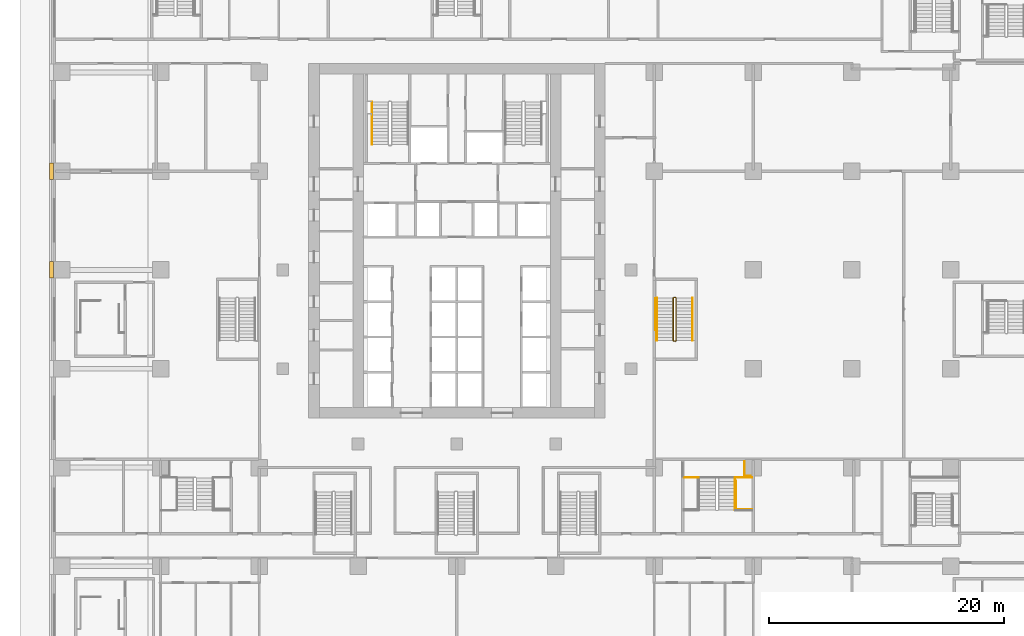
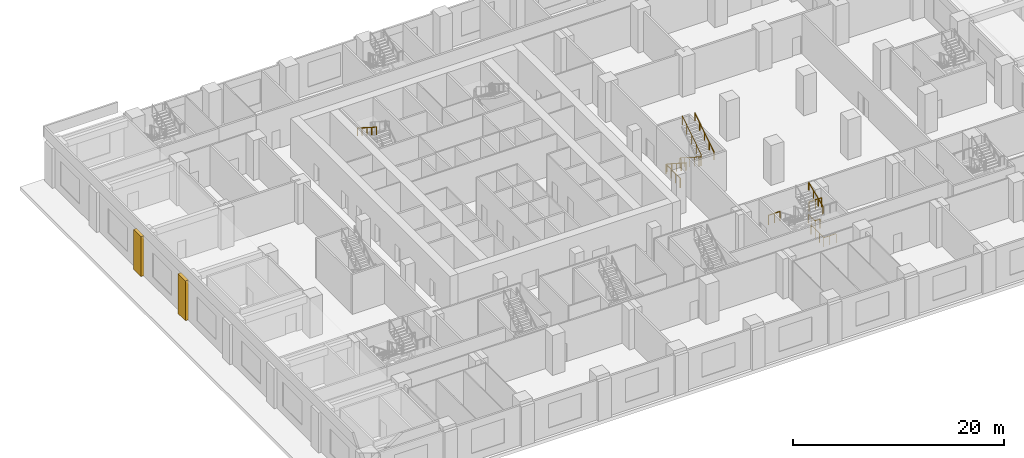
# One storey, part 23 of 29: 10 railings, 2 coverings.
"""IFC4 building model written with IfcOpenShell, lengths in metres."""

from ifc_helpers import new_model, si_unit, direction, frame, origin, origin_2d, place, context, subcontext, project, spatial, polyline, rectangle, outline, extrude, material, type_object, element, save


model = new_model("IFC4")

# Units and contexts
model_context = context("Model", 3, precision=1e-05, world=origin(), true_north=direction((0.0, 1.0)))
body_context = subcontext(model_context, "Body", "Model", "MODEL_VIEW")
ifc_project = project(units=[si_unit("LENGTHUNIT", "METRE"), si_unit("AREAUNIT", "SQUARE_METRE"), si_unit("VOLUMEUNIT", "CUBIC_METRE"), si_unit("PLANEANGLEUNIT", "RADIAN"), si_unit("MASSUNIT", "GRAM", prefix="KILO")], contexts=[model_context])

# Site, building, storey
site_placement = place(None, origin())
site = spatial("IfcSite", under=ifc_project, at=site_placement, CompositionType="ELEMENT")
building_placement = place(site_placement, origin())
building = spatial("IfcBuilding", under=site, at=building_placement, Name="Vermilion Ogive Tower", CompositionType="ELEMENT")
storey_placement = place(building_placement, frame((0.0, 0.0, 7.5)))
storey = spatial("IfcBuildingStorey", under=building, at=storey_placement, Name="L01", CompositionType="ELEMENT", Elevation=7.5)

# Railings
ifc_material_1 = material(Name="Steel S355 painted", Category="steel")
railing_type_1 = type_object("IfcRailingType", Name="Stair guard 1100", PredefinedType="GUARDRAIL", material=ifc_material_1)
railing_1_placement = place(storey_placement, frame((18.60009765625, 1.85009765625, 0.0)))
element("IfcRailing", 1, at=railing_1_placement, inside=storey, type_object=railing_type_1, Name="L01 ST8 stair guard 4", PredefinedType="GUARDRAIL", context=body_context, shape_type="SweptSolid", body=[
    extrude(rectangle(XDim=0.048095703125, YDim=0.048095703125, at=origin_2d()), frame((0.0, 0.0, 1.076171875), z_axis=(-1.0, 0.0, 0.0), x_axis=(0.0, -1.0, 0.0)), (0.0, 0.0, 1.0), 0.150146484375),
    extrude(rectangle(XDim=0.048095703125, YDim=0.048095703125, at=origin_2d()), frame((-0.150146484375, 0.0, 1.076171875), z_axis=(-0.260684529273, -0.260684529273, 0.929562882432), x_axis=(0.707106781187, -0.707106781187, 0.0)), (0.0, 0.0, 1.0), 0.19189453125),
    extrude(rectangle(XDim=0.048095703125, YDim=0.048095703125, at=origin_2d()), frame((-0.2001953125, -0.050048828125, 1.25439453125), z_axis=(0.0, -0.840414717549, 0.541943818607), x_axis=(1.0, 0.0, 0.0)), (0.0, 0.0, 1.0), 4.28369140625),
    extrude(rectangle(XDim=0.048095703125, YDim=0.048095703125, at=origin_2d()), frame((-0.2001953125, -3.650146484375, 3.576171875), z_axis=(0.707106781187, -0.707106781187, 0.0), x_axis=(0.707106781187, 0.707106781187, 0.0)), (0.0, 0.0, 1.0), 0.07080078125),
    extrude(rectangle(XDim=0.048095703125, YDim=0.048095703125, at=origin_2d()), frame((-0.150146484375, -3.7001953125, 3.576171875), z_axis=(1.0, 0.0, 0.0), x_axis=(0.0, 1.0, 0.0)), (0.0, 0.0, 1.0), 0.150146484375),
    extrude(rectangle(XDim=0.048095703125, YDim=0.048095703125, at=origin_2d()), frame((0.0, -3.7001953125, 3.576171875), z_axis=(0.25949872427, 0.26077077684, 0.929870428634), x_axis=(-0.708833529934, 0.705375805398, 0.0)), (0.0, 0.0, 1.0), 0.19189453125),
    extrude(rectangle(XDim=0.048095703125, YDim=0.048095703125, at=origin_2d()), frame((0.0498046875, -3.650146484375, 3.75439453125), z_axis=(0.0, 0.840414717549, 0.541943818607), x_axis=(-1.0, 0.0, 0.0)), (0.0, 0.0, 1.0), 4.28369140625),
    extrude(rectangle(XDim=0.0419921875, YDim=0.0419921875, at=origin_2d()), origin(), (0.0, 0.0, 1.0), 1.052001953125),
    extrude(rectangle(XDim=0.0419921875, YDim=0.0419921875, at=origin_2d()), frame((-0.150146484375, 0.0, 0.0)), (0.0, 0.0, 1.0), 1.052001953125),
    extrude(rectangle(XDim=0.0419921875, YDim=0.0419921875, at=origin_2d()), frame((-0.2001953125, -0.050048828125, 0.178466796875)), (0.0, 0.0, 1.0), 1.052001953125),
    extrude(rectangle(XDim=0.0419921875, YDim=0.0419921875, at=origin_2d()), frame((-0.2001953125, -0.9501953125, 0.7587890625)), (0.0, 0.0, 1.0), 1.052001953125),
    extrude(rectangle(XDim=0.0419921875, YDim=0.0419921875, at=origin_2d()), frame((-0.2001953125, -1.85009765625, 1.33935546875)), (0.0, 0.0, 1.0), 1.052001953125),
    extrude(rectangle(XDim=0.0419921875, YDim=0.0419921875, at=origin_2d()), frame((-0.2001953125, -2.75, 1.919677734375)), (0.0, 0.0, 1.0), 1.052001953125),
    extrude(rectangle(XDim=0.0419921875, YDim=0.0419921875, at=origin_2d()), frame((-0.2001953125, -3.650146484375, 2.5)), (0.0, 0.0, 1.0), 1.052001953125),
    extrude(rectangle(XDim=0.0419921875, YDim=0.0419921875, at=origin_2d()), frame((-0.150146484375, -3.7001953125, 2.5)), (0.0, 0.0, 1.0), 1.052001953125),
    extrude(rectangle(XDim=0.0419921875, YDim=0.0419921875, at=origin_2d()), frame((0.0, -3.7001953125, 2.5)), (0.0, 0.0, 1.0), 1.052001953125),
    extrude(rectangle(XDim=0.0419921875, YDim=0.0419921875, at=origin_2d()), frame((0.0498046875, -3.650146484375, 2.678466796875)), (0.0, 0.0, 1.0), 1.052001953125),
    extrude(rectangle(XDim=0.0419921875, YDim=0.0419921875, at=origin_2d()), frame((0.0498046875, -2.75, 3.2587890625)), (0.0, 0.0, 1.0), 1.052001953125),
    extrude(rectangle(XDim=0.0419921875, YDim=0.0419921875, at=origin_2d()), frame((0.0498046875, -1.85009765625, 3.83935546875)), (0.0, 0.0, 1.0), 1.052001953125),
    extrude(rectangle(XDim=0.0419921875, YDim=0.0419921875, at=origin_2d()), frame((0.0498046875, -0.9501953125, 4.419677734375)), (0.0, 0.0, 1.0), 1.052001953125),
    extrude(rectangle(XDim=0.0419921875, YDim=0.0419921875, at=origin_2d()), frame((0.0498046875, -0.050048828125, 5.0)), (0.0, 0.0, 1.0), 1.052001953125),
])
railing_2_placement = place(storey_placement, frame((19.300048828125, -13.449951171875, 2.5)))
element("IfcRailing", 2, at=railing_2_placement, inside=storey, type_object=railing_type_1, Name="L01 landing guard", PredefinedType="GUARDRAIL", context=body_context, shape_type="SweptSolid", body=[
    extrude(rectangle(XDim=0.048095703125, YDim=0.048095703125, at=origin_2d()), frame((0.0, 0.0, 1.076171875), z_axis=(1.0, 0.0, 0.0), x_axis=(0.0, 1.0, 0.0)), (0.0, 0.0, 1.0), 1.25),
    extrude(rectangle(XDim=0.0419921875, YDim=0.0419921875, at=origin_2d()), origin(), (0.0, 0.0, 1.0), 1.052001953125),
    extrude(rectangle(XDim=0.0419921875, YDim=0.0419921875, at=origin_2d()), frame((0.625, 0.0, 0.0)), (0.0, 0.0, 1.0), 1.052001953125),
    extrude(rectangle(XDim=0.0419921875, YDim=0.0419921875, at=origin_2d()), frame((1.25, 0.0, 0.0)), (0.0, 0.0, 1.0), 1.052001953125),
])
railing_3_placement = place(storey_placement, frame((23.699951171875, -13.449951171875, 2.5)))
element("IfcRailing", 3, at=railing_3_placement, inside=storey, type_object=railing_type_1, Name="L01 landing guard", PredefinedType="GUARDRAIL", context=body_context, shape_type="SweptSolid", body=[
    extrude(rectangle(XDim=0.048095703125, YDim=0.048095703125, at=origin_2d()), frame((0.0, 0.0, 1.076171875), z_axis=(1.0, 0.0, 0.0), x_axis=(0.0, 1.0, 0.0)), (0.0, 0.0, 1.0), 1.39990234375),
    extrude(rectangle(XDim=0.0419921875, YDim=0.0419921875, at=origin_2d()), origin(), (0.0, 0.0, 1.0), 1.052001953125),
    extrude(rectangle(XDim=0.0419921875, YDim=0.0419921875, at=origin_2d()), frame((0.699951171875, 0.0, 0.0)), (0.0, 0.0, 1.0), 1.052001953125),
    extrude(rectangle(XDim=0.0419921875, YDim=0.0419921875, at=origin_2d()), frame((1.39990234375, 0.0, 0.0)), (0.0, 0.0, 1.0), 1.052001953125),
])
railing_4_placement = place(storey_placement, frame((16.885498046875, -0.89990234375, 0.0)))
element("IfcRailing", 4, at=railing_4_placement, inside=storey, type_object=railing_type_1, Name="L01 stair opening guard", PredefinedType="GUARDRAIL", context=body_context, shape_type="SweptSolid", body=[
    extrude(rectangle(XDim=0.048095703125, YDim=0.048095703125, at=origin_2d()), frame((0.0, 0.0, 1.076171875), z_axis=(1.0, 0.0, 0.0), x_axis=(0.0, 1.0, 0.0)), (0.0, 0.0, 1.0), 0.00439453125),
    extrude(rectangle(XDim=0.048095703125, YDim=0.048095703125, at=origin_2d()), frame((0.00439453125, 0.0, 1.076171875), z_axis=(0.0, 1.0, 0.0), x_axis=(-1.0, 0.0, 0.0)), (0.0, 0.0, 1.0), 2.669921875),
    extrude(rectangle(XDim=0.0419921875, YDim=0.0419921875, at=origin_2d()), origin(), (0.0, 0.0, 1.0), 1.052001953125),
    extrude(rectangle(XDim=0.0419921875, YDim=0.0419921875, at=origin_2d()), frame((0.00439453125, 0.0, 0.0)), (0.0, 0.0, 1.0), 1.052001953125),
    extrude(rectangle(XDim=0.0419921875, YDim=0.0419921875, at=origin_2d()), frame((0.00439453125, 0.889892578125, 0.0)), (0.0, 0.0, 1.0), 1.052001953125),
    extrude(rectangle(XDim=0.0419921875, YDim=0.0419921875, at=origin_2d()), frame((0.00439453125, 1.780029296875, 0.0)), (0.0, 0.0, 1.0), 1.052001953125),
    extrude(rectangle(XDim=0.0419921875, YDim=0.0419921875, at=origin_2d()), frame((0.00439453125, 2.669921875, 0.0)), (0.0, 0.0, 1.0), 1.052001953125),
])
railing_5_placement = place(storey_placement, frame((23.75244140625, -13.746826171875, 0.0)))
element("IfcRailing", 5, at=railing_5_placement, inside=storey, type_object=railing_type_1, Name="L01 stair opening guard", PredefinedType="GUARDRAIL", context=body_context, shape_type="SweptSolid", body=[
    extrude(rectangle(XDim=0.048095703125, YDim=0.048095703125, at=origin_2d()), frame((0.0, 0.0, 1.076171875), z_axis=(0.0, -1.0, 0.0), x_axis=(1.0, 0.0, 0.0)), (0.0, 0.0, 1.0), 2.424072265625),
    extrude(rectangle(XDim=0.048095703125, YDim=0.048095703125, at=origin_2d()), frame((0.0, -2.424072265625, 1.076171875), z_axis=(1.0, 0.0, 0.0), x_axis=(0.0, 1.0, 0.0)), (0.0, 0.0, 1.0), 1.340087890625),
    extrude(rectangle(XDim=0.0419921875, YDim=0.0419921875, at=origin_2d()), origin(), (0.0, 0.0, 1.0), 1.052001953125),
    extrude(rectangle(XDim=0.0419921875, YDim=0.0419921875, at=origin_2d()), frame((0.0, -0.80810546875, 0.0)), (0.0, 0.0, 1.0), 1.052001953125),
    extrude(rectangle(XDim=0.0419921875, YDim=0.0419921875, at=origin_2d()), frame((0.0, -1.615966796875, 0.0)), (0.0, 0.0, 1.0), 1.052001953125),
    extrude(rectangle(XDim=0.0419921875, YDim=0.0419921875, at=origin_2d()), frame((0.0, -2.424072265625, 0.0)), (0.0, 0.0, 1.0), 1.052001953125),
    extrude(rectangle(XDim=0.0419921875, YDim=0.0419921875, at=origin_2d()), frame((0.669921875, -2.424072265625, 0.0)), (0.0, 0.0, 1.0), 1.052001953125),
    extrude(rectangle(XDim=0.0419921875, YDim=0.0419921875, at=origin_2d()), frame((1.340087890625, -2.424072265625, 0.0)), (0.0, 0.0, 1.0), 1.052001953125),
])
railing_6_placement = place(storey_placement, frame((24.445068359375, -12.083984375, 0.0)))
element("IfcRailing", 6, at=railing_6_placement, inside=storey, type_object=railing_type_1, Name="L01 stair opening guard", PredefinedType="GUARDRAIL", context=body_context, shape_type="SweptSolid", body=[
    extrude(rectangle(XDim=0.048095703125, YDim=0.048095703125, at=origin_2d()), frame((0.0, 0.0, 1.076171875), z_axis=(0.0, -1.0, 0.0), x_axis=(1.0, 0.0, 0.0)), (0.0, 0.0, 1.0), 1.239990234375),
    extrude(rectangle(XDim=0.048095703125, YDim=0.048095703125, at=origin_2d()), frame((0.0, -1.239990234375, 1.076171875), z_axis=(1.0, 0.0, 0.0), x_axis=(0.0, 1.0, 0.0)), (0.0, 0.0, 1.0), 0.539794921875),
    extrude(rectangle(XDim=0.0419921875, YDim=0.0419921875, at=origin_2d()), origin(), (0.0, 0.0, 1.0), 1.052001953125),
    extrude(rectangle(XDim=0.0419921875, YDim=0.0419921875, at=origin_2d()), frame((0.0, -0.6201171875, 0.0)), (0.0, 0.0, 1.0), 1.052001953125),
    extrude(rectangle(XDim=0.0419921875, YDim=0.0419921875, at=origin_2d()), frame((0.0, -1.239990234375, 0.0)), (0.0, 0.0, 1.0), 1.052001953125),
    extrude(rectangle(XDim=0.0419921875, YDim=0.0419921875, at=origin_2d()), frame((0.539794921875, -1.239990234375, 0.0)), (0.0, 0.0, 1.0), 1.052001953125),
])
ifc_material_2 = material(Name="Stainless steel", Category="steel")
railing_type_2 = type_object("IfcRailingType", Name="Stair handrail 900", PredefinedType="HANDRAIL", material=ifc_material_2)
railing_7_placement = place(storey_placement, frame((-7.199951171875, 18.489990234375, 2.678466796875)))
element("IfcRailing", 7, at=railing_7_placement, inside=storey, type_object=railing_type_2, Name="L01 ST1 stair handrail 2", PredefinedType="HANDRAIL", context=body_context, shape_type="SweptSolid", body=[
    extrude(rectangle(XDim=0.048095703125, YDim=0.048095703125, at=origin_2d()), frame((0.0, 0.0, 0.8759765625), z_axis=(0.0, -0.843111507901, 0.53773877045), x_axis=(1.0, 0.0, 0.0)), (0.0, 0.0, 1.0), 4.317138671875),
    extrude(rectangle(XDim=0.0419921875, YDim=0.0419921875, at=origin_2d()), origin(), (0.0, 0.0, 1.0), 0.851806640625),
    extrude(rectangle(XDim=0.0419921875, YDim=0.0419921875, at=origin_2d()), frame((0.0, -0.909912109375, 0.580322265625)), (0.0, 0.0, 1.0), 0.851806640625),
    extrude(rectangle(XDim=0.0419921875, YDim=0.0419921875, at=origin_2d()), frame((0.0, -1.81982421875, 1.16064453125)), (0.0, 0.0, 1.0), 0.851806640625),
    extrude(rectangle(XDim=0.0419921875, YDim=0.0419921875, at=origin_2d()), frame((0.0, -2.72998046875, 1.7412109375)), (0.0, 0.0, 1.0), 0.851806640625),
    extrude(rectangle(XDim=0.0419921875, YDim=0.0419921875, at=origin_2d()), frame((0.0, -3.639892578125, 2.321533203125)), (0.0, 0.0, 1.0), 0.851806640625),
])
railing_8_placement = place(storey_placement, frame((17.0, 1.800048828125, 0.178466796875)))
element("IfcRailing", 8, at=railing_8_placement, inside=storey, type_object=railing_type_2, Name="L01 ST8 stair handrail 1", PredefinedType="HANDRAIL", context=body_context, shape_type="SweptSolid", body=[
    extrude(rectangle(XDim=0.048095703125, YDim=0.048095703125, at=origin_2d()), frame((0.0, 0.0, 0.8759765625), z_axis=(0.0, -0.840414717549, 0.541943818607), x_axis=(1.0, 0.0, 0.0)), (0.0, 0.0, 1.0), 4.28369140625),
    extrude(rectangle(XDim=0.0419921875, YDim=0.0419921875, at=origin_2d()), origin(), (0.0, 0.0, 1.0), 0.851806640625),
    extrude(rectangle(XDim=0.0419921875, YDim=0.0419921875, at=origin_2d()), frame((0.0, -0.89990234375, 0.580322265625)), (0.0, 0.0, 1.0), 0.851806640625),
    extrude(rectangle(XDim=0.0419921875, YDim=0.0419921875, at=origin_2d()), frame((0.0, -1.800048828125, 1.16064453125)), (0.0, 0.0, 1.0), 0.851806640625),
    extrude(rectangle(XDim=0.0419921875, YDim=0.0419921875, at=origin_2d()), frame((0.0, -2.7001953125, 1.7412109375)), (0.0, 0.0, 1.0), 0.851806640625),
    extrude(rectangle(XDim=0.0419921875, YDim=0.0419921875, at=origin_2d()), frame((0.0, -3.60009765625, 2.321533203125)), (0.0, 0.0, 1.0), 0.851806640625),
])
railing_9_placement = place(storey_placement, frame((20.050048828125, -1.800048828125, 2.678466796875)))
element("IfcRailing", 9, at=railing_9_placement, inside=storey, type_object=railing_type_2, Name="L01 ST8 stair handrail 2", PredefinedType="HANDRAIL", context=body_context, shape_type="SweptSolid", body=[
    extrude(rectangle(XDim=0.048095703125, YDim=0.048095703125, at=origin_2d()), frame((0.0, 0.0, 0.8759765625), z_axis=(0.0, 0.840414717549, 0.541943818607), x_axis=(-1.0, 0.0, 0.0)), (0.0, 0.0, 1.0), 4.28369140625),
    extrude(rectangle(XDim=0.0419921875, YDim=0.0419921875, at=origin_2d()), origin(), (0.0, 0.0, 1.0), 0.851806640625),
    extrude(rectangle(XDim=0.0419921875, YDim=0.0419921875, at=origin_2d()), frame((0.0, 0.89990234375, 0.580322265625)), (0.0, 0.0, 1.0), 0.851806640625),
    extrude(rectangle(XDim=0.0419921875, YDim=0.0419921875, at=origin_2d()), frame((0.0, 1.800048828125, 1.16064453125)), (0.0, 0.0, 1.0), 0.851806640625),
    extrude(rectangle(XDim=0.0419921875, YDim=0.0419921875, at=origin_2d()), frame((0.0, 2.7001953125, 1.7412109375)), (0.0, 0.0, 1.0), 0.851806640625),
    extrude(rectangle(XDim=0.0419921875, YDim=0.0419921875, at=origin_2d()), frame((0.0, 3.60009765625, 2.321533203125)), (0.0, 0.0, 1.0), 0.851806640625),
])
railing_10_placement = place(storey_placement, frame((23.64990234375, -16.199951171875, 3.875)))
element("IfcRailing", 10, at=railing_10_placement, inside=storey, type_object=railing_type_2, Name="L01 PS3 stair handrail 4", PredefinedType="HANDRAIL", context=body_context, shape_type="SweptSolid", body=[
    extrude(rectangle(XDim=0.048095703125, YDim=0.048095703125, at=origin_2d()), frame((0.0, 0.0, 0.8759765625), z_axis=(0.0, 0.923074453586, 0.384621311341), x_axis=(-1.0, 0.0, 0.0)), (0.0, 0.0, 1.0), 2.925048828125),
    extrude(rectangle(XDim=0.0419921875, YDim=0.0419921875, at=origin_2d()), origin(), (0.0, 0.0, 1.0), 0.851806640625),
    extrude(rectangle(XDim=0.0419921875, YDim=0.0419921875, at=origin_2d()), frame((0.0, 0.89990234375, 0.375)), (0.0, 0.0, 1.0), 0.851806640625),
    extrude(rectangle(XDim=0.0419921875, YDim=0.0419921875, at=origin_2d()), frame((0.0, 1.800048828125, 0.75)), (0.0, 0.0, 1.0), 0.851806640625),
    extrude(rectangle(XDim=0.0419921875, YDim=0.0419921875, at=origin_2d()), frame((0.0, 2.699951171875, 1.125)), (0.0, 0.0, 1.0), 0.851806640625),
])

# Coverings
ifc_material_3 = material(Name="Stone cladding", Category="masonry")
covering_type = type_object("IfcCoveringType", Name="Stone pier", PredefinedType="CLADDING", material=ifc_material_3)
covering_1_placement = place(storey_placement, origin())
element("IfcCovering", 11, at=covering_1_placement, inside=storey, type_object=covering_type, Name="Stone pier P-336+042", PredefinedType="CLADDING", context=body_context, shape_type="SweptSolid", body=[
    extrude(outline(polyline([(-34.64990234375, 3.5), (-34.64990234375, 4.89990234375), (-34.300048828125, 4.89990234375), (-34.300048828125, 3.5), (-34.64990234375, 3.5)])), origin(), (0.0, 0.0, 1.0), 4.60009765625),
])
covering_2_placement = place(storey_placement, origin())
element("IfcCovering", 12, at=covering_2_placement, inside=storey, type_object=covering_type, Name="Stone pier P-336+126", PredefinedType="CLADDING", context=body_context, shape_type="SweptSolid", body=[
    extrude(outline(polyline([(-34.300048828125, 11.89990234375), (-34.64990234375, 11.89990234375), (-34.64990234375, 13.300048828125), (-34.300048828125, 13.300048828125), (-34.300048828125, 13.300048828125), (-34.300048828125, 11.89990234375)])), origin(), (0.0, 0.0, 1.0), 4.60009765625),
])

save(model, "model.ifc")
